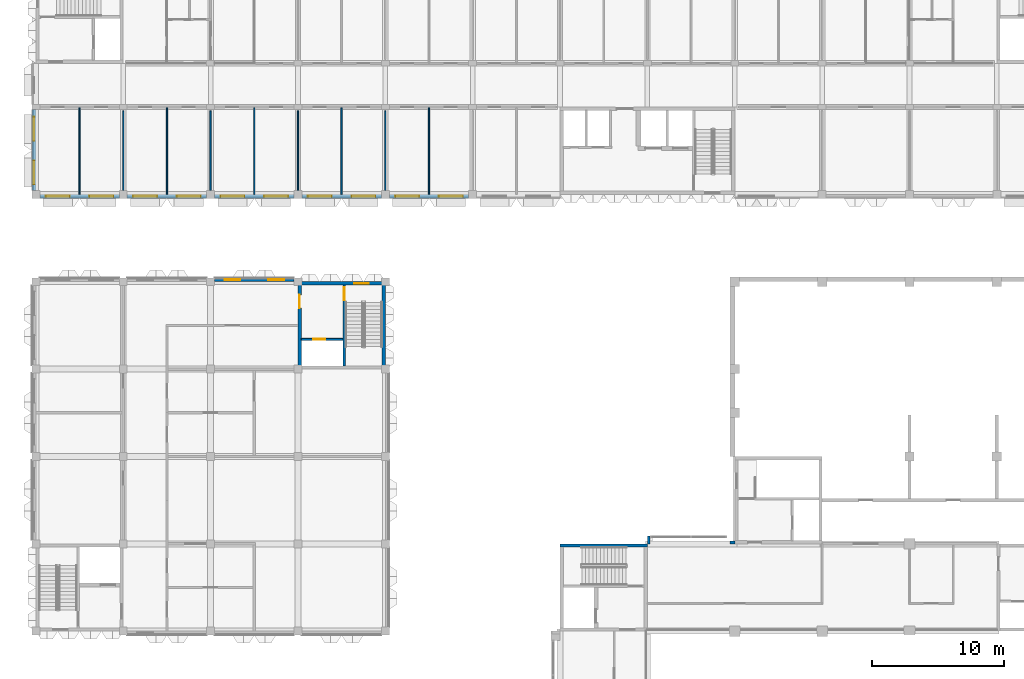
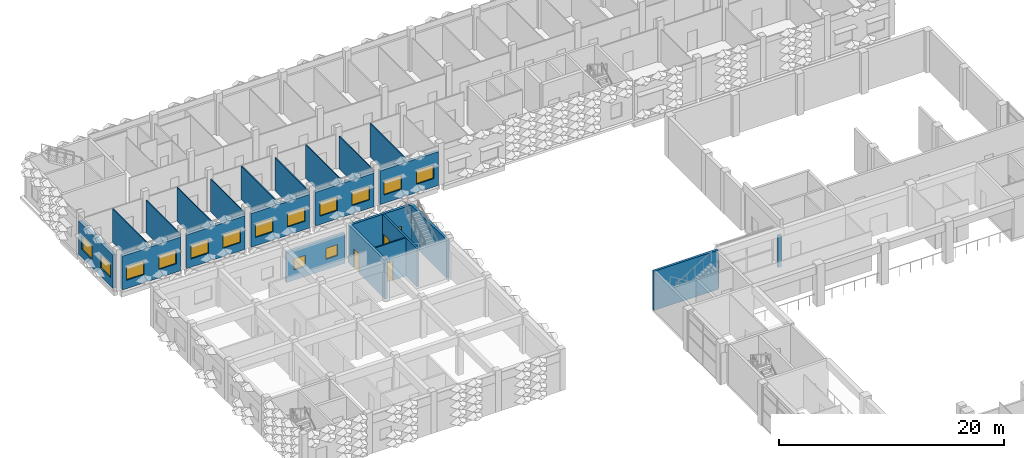
# One storey, part 34 of 87: 24 walls, 15 windows, 3 doors, 18 openings.
"""IFC4 building model written with IfcOpenShell, lengths in metres."""

from ifc_helpers import new_model, si_unit, direction, frame, frame_2d, origin, place, context, subcontext, project, spatial, rectangle, extrude, material, layer, layer_set, type_object, element, fill, save


model = new_model("IFC4")

# Units and contexts
model_context = context("Model", 3, precision=1e-05, world=origin(), true_north=direction((0.0, 1.0)))
body_context = subcontext(model_context, "Body", "Model", "MODEL_VIEW")
ifc_project = project(units=[si_unit("LENGTHUNIT", "METRE"), si_unit("AREAUNIT", "SQUARE_METRE"), si_unit("VOLUMEUNIT", "CUBIC_METRE"), si_unit("PLANEANGLEUNIT", "RADIAN"), si_unit("MASSUNIT", "GRAM", prefix="KILO")], contexts=[model_context])

# Site, building, storey
site_placement = place(None, origin())
site = spatial("IfcSite", under=ifc_project, at=site_placement, CompositionType="ELEMENT")
building_placement = place(site_placement, origin())
building = spatial("IfcBuilding", under=site, at=building_placement, Name="Lantern Court Research Institute", CompositionType="ELEMENT")
storey_placement = place(building_placement, frame((0.0, 0.0, 5.39990234375)))
storey = spatial("IfcBuildingStorey", under=building, at=storey_placement, Name="L01", CompositionType="ELEMENT", Elevation=5.39990234375)

# Wall, openings, windows
ifc_material_1 = material(Name="Concrete C30/37", Category="concrete")
ifc_layer_1 = layer(ifc_material_1, 0.300048828125)
ifc_layer_set_1 = layer_set([ifc_layer_1], Name="Concrete C30/37")
wall_type_1 = type_object("IfcWallType", Name="Insulated concrete infill wall 300", PredefinedType="STANDARD", material=ifc_layer_set_1)
wall_1_placement = place(storey_placement, frame((6.300048828125, 82.35009765625, 0.0), z_axis=(0.0, 0.0, 1.0), x_axis=(-1.0, 0.0, 0.0)))
wall_1 = element("IfcWall", 1, at=wall_1_placement, inside=storey, type_object=wall_type_1, Name="Exterior wall EW119", PredefinedType="STANDARD", context=body_context, shape_type="SweptSolid", body=[
    extrude(rectangle(XDim=6.0, YDim=0.300048828125, at=frame_2d((3.0, 0.0))), origin(), (0.0, 0.0, 1.0), 3.650146484375),
])
opening_1_placement = place(wall_1_placement, frame((3.75, 0.0, 0.89990234375)))
opening_1 = element("IfcOpeningElement", 2, at=opening_1_placement, cuts=wall_1, Name="Opening W14", PredefinedType="OPENING", context=body_context, shape_type="SweptSolid", body=[
    extrude(rectangle(XDim=1.800048828125, YDim=1.5, at=frame_2d((0.89990234375, 0.75))), frame((0.0, 0.159912109375, 0.0), z_axis=(0.0, -1.0, 0.0), x_axis=(1.0, 0.0, 0.0)), (0.0, 0.0, 1.0), 0.320068359375),
])
opening_2_placement = place(wall_1_placement, frame((0.449951171875, 0.0, 0.89990234375)))
opening_2 = element("IfcOpeningElement", 3, at=opening_2_placement, cuts=wall_1, Name="Opening W14", PredefinedType="OPENING", context=body_context, shape_type="SweptSolid", body=[
    extrude(rectangle(XDim=1.800048828125, YDim=1.5, at=frame_2d((0.89990234375, 0.75))), frame((0.0, 0.159912109375, 0.0), z_axis=(0.0, -1.0, 0.0), x_axis=(1.0, 0.0, 0.0)), (0.0, 0.0, 1.0), 0.320068359375),
])
ifc_material_2 = material(Name="Aluminium frame with laminated low-emissivity glazing", Category="aluminium")
window_type_1 = type_object("IfcWindowType", Name="Office window 1800 x 1500", PartitioningType="SINGLE_PANEL", PredefinedType="WINDOW", material=ifc_material_2)
window_1_placement = place(opening_1_placement, origin())
window_1 = element("IfcWindow", 4, at=window_1_placement, inside=storey, type_object=window_type_1, Name="Window W14 V6S L01", OverallHeight=1.5, OverallWidth=1.800048828125, PartitioningType="SINGLE_PANEL", PredefinedType="WINDOW", context=body_context, shape_type="SweptSolid", body=[
    extrude(rectangle(XDim=1.800048828125, YDim=1.5, at=frame_2d((0.89990234375, 0.75))), frame((0.0, 0.030029296875, 0.0), z_axis=(0.0, -1.0, 0.0), x_axis=(1.0, 0.0, 0.0)), (0.0, 0.0, 1.0), 0.06005859375),
])
fill(opening_1, window_1)
window_2_placement = place(opening_2_placement, origin())
window_2 = element("IfcWindow", 5, at=window_2_placement, inside=storey, type_object=window_type_1, Name="Window W14 V6S L01", OverallHeight=1.5, OverallWidth=1.800048828125, PartitioningType="SINGLE_PANEL", PredefinedType="WINDOW", context=body_context, shape_type="SweptSolid", body=[
    extrude(rectangle(XDim=1.800048828125, YDim=1.5, at=frame_2d((0.89990234375, 0.75))), frame((0.0, 0.030029296875, 0.0), z_axis=(0.0, -1.0, 0.0), x_axis=(1.0, 0.0, 0.0)), (0.0, 0.0, 1.0), 0.06005859375),
])
fill(opening_2, window_2)

wall_2_placement = place(storey_placement, frame((12.89990234375, 82.35009765625, 0.0), z_axis=(0.0, 0.0, 1.0), x_axis=(-1.0, 0.0, 0.0)))
wall_2 = element("IfcWall", 6, at=wall_2_placement, inside=storey, type_object=wall_type_1, Name="Exterior wall EW120", PredefinedType="STANDARD", context=body_context, shape_type="SweptSolid", body=[
    extrude(rectangle(XDim=6.0, YDim=0.300048828125, at=frame_2d((3.0, 0.0))), origin(), (0.0, 0.0, 1.0), 3.650146484375),
])
opening_3_placement = place(wall_2_placement, frame((3.75, 0.0, 0.89990234375)))
opening_3 = element("IfcOpeningElement", 7, at=opening_3_placement, cuts=wall_2, Name="Opening W14", PredefinedType="OPENING", context=body_context, shape_type="SweptSolid", body=[
    extrude(rectangle(XDim=1.800048828125, YDim=1.5, at=frame_2d((0.89990234375, 0.75))), frame((0.0, 0.159912109375, 0.0), z_axis=(0.0, -1.0, 0.0), x_axis=(1.0, 0.0, 0.0)), (0.0, 0.0, 1.0), 0.320068359375),
])
opening_4_placement = place(wall_2_placement, frame((0.449951171875, 0.0, 0.89990234375)))
opening_4 = element("IfcOpeningElement", 8, at=opening_4_placement, cuts=wall_2, Name="Opening W14", PredefinedType="OPENING", context=body_context, shape_type="SweptSolid", body=[
    extrude(rectangle(XDim=1.800048828125, YDim=1.5, at=frame_2d((0.89990234375, 0.75))), frame((0.0, 0.159912109375, 0.0), z_axis=(0.0, -1.0, 0.0), x_axis=(1.0, 0.0, 0.0)), (0.0, 0.0, 1.0), 0.320068359375),
])
window_3_placement = place(opening_3_placement, origin())
window_3 = element("IfcWindow", 9, at=window_3_placement, inside=storey, type_object=window_type_1, Name="Window W14 V6S L01", OverallHeight=1.5, OverallWidth=1.800048828125, PartitioningType="SINGLE_PANEL", PredefinedType="WINDOW", context=body_context, shape_type="SweptSolid", body=[
    extrude(rectangle(XDim=1.800048828125, YDim=1.5, at=frame_2d((0.89990234375, 0.75))), frame((0.0, 0.030029296875, 0.0), z_axis=(0.0, -1.0, 0.0), x_axis=(1.0, 0.0, 0.0)), (0.0, 0.0, 1.0), 0.06005859375),
])
fill(opening_3, window_3)
window_4_placement = place(opening_4_placement, origin())
window_4 = element("IfcWindow", 10, at=window_4_placement, inside=storey, type_object=window_type_1, Name="Window W14 V6S L01", OverallHeight=1.5, OverallWidth=1.800048828125, PartitioningType="SINGLE_PANEL", PredefinedType="WINDOW", context=body_context, shape_type="SweptSolid", body=[
    extrude(rectangle(XDim=1.800048828125, YDim=1.5, at=frame_2d((0.89990234375, 0.75))), frame((0.0, 0.030029296875, 0.0), z_axis=(0.0, -1.0, 0.0), x_axis=(1.0, 0.0, 0.0)), (0.0, 0.0, 1.0), 0.06005859375),
])
fill(opening_4, window_4)

wall_3_placement = place(storey_placement, frame((19.5, 82.35009765625, 0.0), z_axis=(0.0, 0.0, 1.0), x_axis=(-1.0, 0.0, 0.0)))
wall_3 = element("IfcWall", 11, at=wall_3_placement, inside=storey, type_object=wall_type_1, Name="Exterior wall EW121", PredefinedType="STANDARD", context=body_context, shape_type="SweptSolid", body=[
    extrude(rectangle(XDim=6.0, YDim=0.300048828125, at=frame_2d((3.0, 0.0))), origin(), (0.0, 0.0, 1.0), 3.650146484375),
])
opening_5_placement = place(wall_3_placement, frame((3.75, 0.0, 0.89990234375)))
opening_5 = element("IfcOpeningElement", 12, at=opening_5_placement, cuts=wall_3, Name="Opening W14", PredefinedType="OPENING", context=body_context, shape_type="SweptSolid", body=[
    extrude(rectangle(XDim=1.800048828125, YDim=1.5, at=frame_2d((0.89990234375, 0.75))), frame((0.0, 0.159912109375, 0.0), z_axis=(0.0, -1.0, 0.0), x_axis=(1.0, 0.0, 0.0)), (0.0, 0.0, 1.0), 0.320068359375),
])
opening_6_placement = place(wall_3_placement, frame((0.449951171875, 0.0, 0.89990234375)))
opening_6 = element("IfcOpeningElement", 13, at=opening_6_placement, cuts=wall_3, Name="Opening W14", PredefinedType="OPENING", context=body_context, shape_type="SweptSolid", body=[
    extrude(rectangle(XDim=1.800048828125, YDim=1.5, at=frame_2d((0.89990234375, 0.75))), frame((0.0, 0.159912109375, 0.0), z_axis=(0.0, -1.0, 0.0), x_axis=(1.0, 0.0, 0.0)), (0.0, 0.0, 1.0), 0.320068359375),
])
window_5_placement = place(opening_5_placement, origin())
window_5 = element("IfcWindow", 14, at=window_5_placement, inside=storey, type_object=window_type_1, Name="Window W14 V6S L01", OverallHeight=1.5, OverallWidth=1.800048828125, PartitioningType="SINGLE_PANEL", PredefinedType="WINDOW", context=body_context, shape_type="SweptSolid", body=[
    extrude(rectangle(XDim=1.800048828125, YDim=1.5, at=frame_2d((0.89990234375, 0.75))), frame((0.0, 0.030029296875, 0.0), z_axis=(0.0, -1.0, 0.0), x_axis=(1.0, 0.0, 0.0)), (0.0, 0.0, 1.0), 0.06005859375),
])
fill(opening_5, window_5)
window_6_placement = place(opening_6_placement, origin())
window_6 = element("IfcWindow", 15, at=window_6_placement, inside=storey, type_object=window_type_1, Name="Window W14 V6S L01", OverallHeight=1.5, OverallWidth=1.800048828125, PartitioningType="SINGLE_PANEL", PredefinedType="WINDOW", context=body_context, shape_type="SweptSolid", body=[
    extrude(rectangle(XDim=1.800048828125, YDim=1.5, at=frame_2d((0.89990234375, 0.75))), frame((0.0, 0.030029296875, 0.0), z_axis=(0.0, -1.0, 0.0), x_axis=(1.0, 0.0, 0.0)), (0.0, 0.0, 1.0), 0.06005859375),
])
fill(opening_6, window_6)

wall_4_placement = place(storey_placement, frame((26.10009765625, 82.35009765625, 0.0), z_axis=(0.0, 0.0, 1.0), x_axis=(-1.0, 0.0, 0.0)))
wall_4 = element("IfcWall", 16, at=wall_4_placement, inside=storey, type_object=wall_type_1, Name="Exterior wall EW122", PredefinedType="STANDARD", context=body_context, shape_type="SweptSolid", body=[
    extrude(rectangle(XDim=6.0, YDim=0.300048828125, at=frame_2d((3.0, 0.0))), origin(), (0.0, 0.0, 1.0), 3.650146484375),
])
opening_7_placement = place(wall_4_placement, frame((3.75, 0.0, 0.89990234375)))
opening_7 = element("IfcOpeningElement", 17, at=opening_7_placement, cuts=wall_4, Name="Opening W14", PredefinedType="OPENING", context=body_context, shape_type="SweptSolid", body=[
    extrude(rectangle(XDim=1.800048828125, YDim=1.5, at=frame_2d((0.89990234375, 0.75))), frame((0.0, 0.159912109375, 0.0), z_axis=(0.0, -1.0, 0.0), x_axis=(1.0, 0.0, 0.0)), (0.0, 0.0, 1.0), 0.320068359375),
])
opening_8_placement = place(wall_4_placement, frame((0.449951171875, 0.0, 0.89990234375)))
opening_8 = element("IfcOpeningElement", 18, at=opening_8_placement, cuts=wall_4, Name="Opening W14", PredefinedType="OPENING", context=body_context, shape_type="SweptSolid", body=[
    extrude(rectangle(XDim=1.800048828125, YDim=1.5, at=frame_2d((0.89990234375, 0.75))), frame((0.0, 0.159912109375, 0.0), z_axis=(0.0, -1.0, 0.0), x_axis=(1.0, 0.0, 0.0)), (0.0, 0.0, 1.0), 0.320068359375),
])
window_7_placement = place(opening_7_placement, origin())
window_7 = element("IfcWindow", 19, at=window_7_placement, inside=storey, type_object=window_type_1, Name="Window W14 V6S L01", OverallHeight=1.5, OverallWidth=1.800048828125, PartitioningType="SINGLE_PANEL", PredefinedType="WINDOW", context=body_context, shape_type="SweptSolid", body=[
    extrude(rectangle(XDim=1.800048828125, YDim=1.5, at=frame_2d((0.89990234375, 0.75))), frame((0.0, 0.030029296875, 0.0), z_axis=(0.0, -1.0, 0.0), x_axis=(1.0, 0.0, 0.0)), (0.0, 0.0, 1.0), 0.06005859375),
])
fill(opening_7, window_7)
window_8_placement = place(opening_8_placement, origin())
window_8 = element("IfcWindow", 20, at=window_8_placement, inside=storey, type_object=window_type_1, Name="Window W14 V6S L01", OverallHeight=1.5, OverallWidth=1.800048828125, PartitioningType="SINGLE_PANEL", PredefinedType="WINDOW", context=body_context, shape_type="SweptSolid", body=[
    extrude(rectangle(XDim=1.800048828125, YDim=1.5, at=frame_2d((0.89990234375, 0.75))), frame((0.0, 0.030029296875, 0.0), z_axis=(0.0, -1.0, 0.0), x_axis=(1.0, 0.0, 0.0)), (0.0, 0.0, 1.0), 0.06005859375),
])
fill(opening_8, window_8)

wall_5_placement = place(storey_placement, frame((32.699951171875, 82.35009765625, 0.0), z_axis=(0.0, 0.0, 1.0), x_axis=(-1.0, 0.0, 0.0)))
wall_5 = element("IfcWall", 21, at=wall_5_placement, inside=storey, type_object=wall_type_1, Name="Exterior wall EW123", PredefinedType="STANDARD", context=body_context, shape_type="SweptSolid", body=[
    extrude(rectangle(XDim=6.0, YDim=0.300048828125, at=frame_2d((3.0, 0.0))), origin(), (0.0, 0.0, 1.0), 3.650146484375),
])
opening_9_placement = place(wall_5_placement, frame((3.75, 0.0, 0.89990234375)))
opening_9 = element("IfcOpeningElement", 22, at=opening_9_placement, cuts=wall_5, Name="Opening W14", PredefinedType="OPENING", context=body_context, shape_type="SweptSolid", body=[
    extrude(rectangle(XDim=1.800048828125, YDim=1.5, at=frame_2d((0.89990234375, 0.75))), frame((0.0, 0.159912109375, 0.0), z_axis=(0.0, -1.0, 0.0), x_axis=(1.0, 0.0, 0.0)), (0.0, 0.0, 1.0), 0.320068359375),
])
opening_10_placement = place(wall_5_placement, frame((0.449951171875, 0.0, 0.89990234375)))
opening_10 = element("IfcOpeningElement", 23, at=opening_10_placement, cuts=wall_5, Name="Opening W14", PredefinedType="OPENING", context=body_context, shape_type="SweptSolid", body=[
    extrude(rectangle(XDim=1.800048828125, YDim=1.5, at=frame_2d((0.89990234375, 0.75))), frame((0.0, 0.159912109375, 0.0), z_axis=(0.0, -1.0, 0.0), x_axis=(1.0, 0.0, 0.0)), (0.0, 0.0, 1.0), 0.320068359375),
])
window_9_placement = place(opening_9_placement, origin())
window_9 = element("IfcWindow", 24, at=window_9_placement, inside=storey, type_object=window_type_1, Name="Window W14 V6S L01", OverallHeight=1.5, OverallWidth=1.800048828125, PartitioningType="SINGLE_PANEL", PredefinedType="WINDOW", context=body_context, shape_type="SweptSolid", body=[
    extrude(rectangle(XDim=1.800048828125, YDim=1.5, at=frame_2d((0.89990234375, 0.75))), frame((0.0, 0.030029296875, 0.0), z_axis=(0.0, -1.0, 0.0), x_axis=(1.0, 0.0, 0.0)), (0.0, 0.0, 1.0), 0.06005859375),
])
fill(opening_9, window_9)
window_10_placement = place(opening_10_placement, origin())
window_10 = element("IfcWindow", 25, at=window_10_placement, inside=storey, type_object=window_type_1, Name="Window W14 V6S L01", OverallHeight=1.5, OverallWidth=1.800048828125, PartitioningType="SINGLE_PANEL", PredefinedType="WINDOW", context=body_context, shape_type="SweptSolid", body=[
    extrude(rectangle(XDim=1.800048828125, YDim=1.5, at=frame_2d((0.89990234375, 0.75))), frame((0.0, 0.030029296875, 0.0), z_axis=(0.0, -1.0, 0.0), x_axis=(1.0, 0.0, 0.0)), (0.0, 0.0, 1.0), 0.06005859375),
])
fill(opening_10, window_10)

wall_6_placement = place(storey_placement, frame((-0.14990234375, 82.800048828125, 0.0), z_axis=(0.0, 0.0, 1.0), x_axis=(0.0, 1.0, 0.0)))
wall_6 = element("IfcWall", 26, at=wall_6_placement, inside=storey, type_object=wall_type_1, Name="Exterior wall EW129", PredefinedType="STANDARD", context=body_context, shape_type="SweptSolid", body=[
    extrude(rectangle(XDim=6.099853515625, YDim=0.300048828125, at=frame_2d((3.0498046875, 0.0))), origin(), (0.0, 0.0, 1.0), 3.650146484375),
])
opening_11_placement = place(wall_6_placement, frame((0.449951171875, 0.0, 0.89990234375)))
opening_11 = element("IfcOpeningElement", 27, at=opening_11_placement, cuts=wall_6, Name="Opening W14", PredefinedType="OPENING", context=body_context, shape_type="SweptSolid", body=[
    extrude(rectangle(XDim=1.800048828125, YDim=1.5, at=frame_2d((0.89990234375, 0.75))), frame((0.0, 0.159912109375, 0.0), z_axis=(0.0, -1.0, 0.0), x_axis=(1.0, 0.0, 0.0)), (0.0, 0.0, 1.0), 0.320068359375),
])
opening_12_placement = place(wall_6_placement, frame((3.75, 0.0, 0.89990234375)))
opening_12 = element("IfcOpeningElement", 28, at=opening_12_placement, cuts=wall_6, Name="Opening W14", PredefinedType="OPENING", context=body_context, shape_type="SweptSolid", body=[
    extrude(rectangle(XDim=1.800048828125, YDim=1.5, at=frame_2d((0.89990234375, 0.75))), frame((0.0, 0.159912109375, 0.0), z_axis=(0.0, -1.0, 0.0), x_axis=(1.0, 0.0, 0.0)), (0.0, 0.0, 1.0), 0.320068359375),
])
window_11_placement = place(opening_11_placement, origin())
window_11 = element("IfcWindow", 29, at=window_11_placement, inside=storey, type_object=window_type_1, Name="Window W14 V6W L01", OverallHeight=1.5, OverallWidth=1.800048828125, PartitioningType="SINGLE_PANEL", PredefinedType="WINDOW", context=body_context, shape_type="SweptSolid", body=[
    extrude(rectangle(XDim=1.800048828125, YDim=1.5, at=frame_2d((0.89990234375, 0.75))), frame((0.0, 0.030029296875, 0.0), z_axis=(0.0, -1.0, 0.0), x_axis=(1.0, 0.0, 0.0)), (0.0, 0.0, 1.0), 0.06005859375),
])
fill(opening_11, window_11)
window_12_placement = place(opening_12_placement, origin())
window_12 = element("IfcWindow", 30, at=window_12_placement, inside=storey, type_object=window_type_1, Name="Window W14 V6W L01", OverallHeight=1.5, OverallWidth=1.800048828125, PartitioningType="SINGLE_PANEL", PredefinedType="WINDOW", context=body_context, shape_type="SweptSolid", body=[
    extrude(rectangle(XDim=1.800048828125, YDim=1.5, at=frame_2d((0.89990234375, 0.75))), frame((0.0, 0.030029296875, 0.0), z_axis=(0.0, -1.0, 0.0), x_axis=(1.0, 0.0, 0.0)), (0.0, 0.0, 1.0), 0.06005859375),
])
fill(opening_12, window_12)

ifc_material_3 = material(Name="Aluminium composite panel with mineral wool insulation", Category="aluminium")
ifc_layer_2 = layer(ifc_material_3, 0.300048828125)
ifc_layer_set_2 = layer_set([ifc_layer_2], Name="Aluminium composite panel with mineral wool insulation")
wall_type_2 = type_object("IfcWallType", Name="Insulated panel wall 300 aluminium faced", PredefinedType="STANDARD", material=ifc_layer_set_2)
wall_7_placement = place(storey_placement, frame((13.5, 76.050048828125, 0.0), z_axis=(0.0, 0.0, 1.0), x_axis=(1.0, 0.0, 0.0)))
wall_7 = element("IfcWall", 31, at=wall_7_placement, inside=storey, type_object=wall_type_2, Name="Exterior wall EW088", PredefinedType="STANDARD", context=body_context, shape_type="SweptSolid", body=[
    extrude(rectangle(XDim=6.0, YDim=0.300048828125, at=frame_2d((3.0, 0.0))), origin(), (0.0, 0.0, 1.0), 3.25),
])
opening_13_placement = place(wall_7_placement, frame((0.75, 0.0, 1.10009765625)))
opening_13 = element("IfcOpeningElement", 32, at=opening_13_placement, cuts=wall_7, Name="Opening W05", PredefinedType="OPENING", context=body_context, shape_type="SweptSolid", body=[
    extrude(rectangle(XDim=1.199951171875, YDim=1.199951171875, at=frame_2d((0.60009765625, 0.60009765625))), frame((0.0, 0.159912109375, 0.0), z_axis=(0.0, -1.0, 0.0), x_axis=(1.0, 0.0, 0.0)), (0.0, 0.0, 1.0), 0.320068359375),
])
opening_14_placement = place(wall_7_placement, frame((4.050048828125, 0.0, 1.10009765625)))
opening_14 = element("IfcOpeningElement", 33, at=opening_14_placement, cuts=wall_7, Name="Opening W05", PredefinedType="OPENING", context=body_context, shape_type="SweptSolid", body=[
    extrude(rectangle(XDim=1.199951171875, YDim=1.199951171875, at=frame_2d((0.60009765625, 0.60009765625))), frame((0.0, 0.159912109375, 0.0), z_axis=(0.0, -1.0, 0.0), x_axis=(1.0, 0.0, 0.0)), (0.0, 0.0, 1.0), 0.320068359375),
])
ifc_material_4 = material(Name="Aluminium frame with laminated low-emissivity glazing", Category="aluminium")
window_type_2 = type_object("IfcWindowType", Name="Corridor end window 1200 x 1200", PartitioningType="SINGLE_PANEL", PredefinedType="WINDOW", material=ifc_material_4)
window_13_placement = place(opening_13_placement, origin())
window_13 = element("IfcWindow", 34, at=window_13_placement, inside=storey, type_object=window_type_2, Name="Window W05 V3N L01", OverallHeight=1.199951171875, OverallWidth=1.199951171875, PartitioningType="SINGLE_PANEL", PredefinedType="WINDOW", context=body_context, shape_type="SweptSolid", body=[
    extrude(rectangle(XDim=1.199951171875, YDim=1.199951171875, at=frame_2d((0.60009765625, 0.60009765625))), frame((0.0, 0.030029296875, 0.0), z_axis=(0.0, -1.0, 0.0), x_axis=(1.0, 0.0, 0.0)), (0.0, 0.0, 1.0), 0.06005859375),
])
fill(opening_13, window_13)
window_14_placement = place(opening_14_placement, origin())
window_14 = element("IfcWindow", 35, at=window_14_placement, inside=storey, type_object=window_type_2, Name="Window W05 V3N L01", OverallHeight=1.199951171875, OverallWidth=1.199951171875, PartitioningType="SINGLE_PANEL", PredefinedType="WINDOW", context=body_context, shape_type="SweptSolid", body=[
    extrude(rectangle(XDim=1.199951171875, YDim=1.199951171875, at=frame_2d((0.60009765625, 0.60009765625))), frame((0.0, 0.030029296875, 0.0), z_axis=(0.0, -1.0, 0.0), x_axis=(1.0, 0.0, 0.0)), (0.0, 0.0, 1.0), 0.06005859375),
])
fill(opening_14, window_14)

# Walls
ifc_material_5 = material(Name="Gypsum board on metal studs")
ifc_layer_3 = layer(ifc_material_5, 0.10009765625)
ifc_layer_set_3 = layer_set([ifc_layer_3], Name="Gypsum board on metal studs")
wall_type_3 = type_object("IfcWallType", Name="Partition 100 mm", PredefinedType="PARTITIONING", material=ifc_layer_set_3)
wall_8_placement = place(storey_placement, frame((3.300048828125, 82.5, 0.0), z_axis=(0.0, 0.0, 1.0), x_axis=(0.0, 1.0, 0.0)))
element("IfcWall", 36, at=wall_8_placement, inside=storey, type_object=wall_type_3, Name="Wall V6-L01-031", PredefinedType="PARTITIONING", context=body_context, shape_type="SweptSolid", body=[
    extrude(rectangle(XDim=6.537109375, YDim=0.10009765625, at=frame_2d((3.2685546875, 0.0))), origin(), (0.0, 0.0, 1.0), 3.650146484375),
])
wall_9_placement = place(storey_placement, frame((6.60009765625, 82.800048828125, 0.0), z_axis=(0.0, 0.0, 1.0), x_axis=(0.0, 1.0, 0.0)))
element("IfcWall", 37, at=wall_9_placement, inside=storey, type_object=wall_type_3, Name="Wall V6-L01-032", PredefinedType="PARTITIONING", context=body_context, shape_type="SweptSolid", body=[
    extrude(rectangle(XDim=6.0, YDim=0.10009765625, at=frame_2d((3.0, 0.0))), origin(), (0.0, 0.0, 1.0), 3.550048828125),
])
wall_10_placement = place(storey_placement, frame((9.89990234375, 82.5, 0.0), z_axis=(0.0, 0.0, 1.0), x_axis=(0.0, 1.0, 0.0)))
element("IfcWall", 38, at=wall_10_placement, inside=storey, type_object=wall_type_3, Name="Wall V6-L01-033", PredefinedType="PARTITIONING", context=body_context, shape_type="SweptSolid", body=[
    extrude(rectangle(XDim=6.537109375, YDim=0.10009765625, at=frame_2d((3.2685546875, 0.0))), origin(), (0.0, 0.0, 1.0), 3.650146484375),
])
wall_11_placement = place(storey_placement, frame((13.199951171875, 82.800048828125, 0.0), z_axis=(0.0, 0.0, 1.0), x_axis=(0.0, 1.0, 0.0)))
element("IfcWall", 39, at=wall_11_placement, inside=storey, type_object=wall_type_3, Name="Wall V6-L01-037", PredefinedType="PARTITIONING", context=body_context, shape_type="SweptSolid", body=[
    extrude(rectangle(XDim=6.0, YDim=0.10009765625, at=frame_2d((3.0, 0.0))), origin(), (0.0, 0.0, 1.0), 3.550048828125),
])
wall_12_placement = place(storey_placement, frame((16.5, 82.5, 0.0), z_axis=(0.0, 0.0, 1.0), x_axis=(0.0, 1.0, 0.0)))
element("IfcWall", 40, at=wall_12_placement, inside=storey, type_object=wall_type_3, Name="Wall V6-L01-040", PredefinedType="PARTITIONING", context=body_context, shape_type="SweptSolid", body=[
    extrude(rectangle(XDim=6.537109375, YDim=0.10009765625, at=frame_2d((3.2685546875, 0.0))), origin(), (0.0, 0.0, 1.0), 3.650146484375),
])
wall_13_placement = place(storey_placement, frame((19.800048828125, 82.800048828125, 0.0), z_axis=(0.0, 0.0, 1.0), x_axis=(0.0, 1.0, 0.0)))
element("IfcWall", 41, at=wall_13_placement, inside=storey, type_object=wall_type_3, Name="Wall V6-L01-043", PredefinedType="PARTITIONING", context=body_context, shape_type="SweptSolid", body=[
    extrude(rectangle(XDim=6.0, YDim=0.10009765625, at=frame_2d((3.0, 0.0))), origin(), (0.0, 0.0, 1.0), 3.550048828125),
])
wall_14_placement = place(storey_placement, frame((23.10009765625, 82.5, 0.0), z_axis=(0.0, 0.0, 1.0), x_axis=(0.0, 1.0, 0.0)))
element("IfcWall", 42, at=wall_14_placement, inside=storey, type_object=wall_type_3, Name="Wall V6-L01-045", PredefinedType="PARTITIONING", context=body_context, shape_type="SweptSolid", body=[
    extrude(rectangle(XDim=6.537109375, YDim=0.10009765625, at=frame_2d((3.2685546875, 0.0))), origin(), (0.0, 0.0, 1.0), 3.650146484375),
])
wall_15_placement = place(storey_placement, frame((26.39990234375, 82.800048828125, 0.0), z_axis=(0.0, 0.0, 1.0), x_axis=(0.0, 1.0, 0.0)))
element("IfcWall", 43, at=wall_15_placement, inside=storey, type_object=wall_type_3, Name="Wall V6-L01-047", PredefinedType="PARTITIONING", context=body_context, shape_type="SweptSolid", body=[
    extrude(rectangle(XDim=6.0, YDim=0.10009765625, at=frame_2d((3.0, 0.0))), origin(), (0.0, 0.0, 1.0), 3.550048828125),
])
wall_16_placement = place(storey_placement, frame((29.699951171875, 82.5, 0.0), z_axis=(0.0, 0.0, 1.0), x_axis=(0.0, 1.0, 0.0)))
element("IfcWall", 44, at=wall_16_placement, inside=storey, type_object=wall_type_3, Name="Wall V6-L01-049", PredefinedType="PARTITIONING", context=body_context, shape_type="SweptSolid", body=[
    extrude(rectangle(XDim=6.537109375, YDim=0.10009765625, at=frame_2d((3.2685546875, 0.0))), origin(), (0.0, 0.0, 1.0), 3.650146484375),
])

# Wall, opening, door
ifc_material_6 = material(Name="Concrete C40/50", Category="concrete")
ifc_layer_4 = layer(ifc_material_6, 0.25)
ifc_layer_set_4 = layer_set([ifc_layer_4], Name="Concrete C40/50")
wall_type_4 = type_object("IfcWallType", Name="RC core wall 250", PredefinedType="SHEAR", material=ifc_layer_set_4)
wall_17_placement = place(storey_placement, frame((19.925048828125, 75.89990234375, 0.0), z_axis=(0.0, 0.0, 1.0), x_axis=(0.0, -1.0, 0.0)))
wall_17 = element("IfcWall", 45, at=wall_17_placement, inside=storey, type_object=wall_type_4, Name="West wall of core CC-B", PredefinedType="SHEAR", context=body_context, shape_type="SweptSolid", body=[
    extrude(rectangle(XDim=6.599853515625, YDim=0.25, at=frame_2d((3.2998046875, 0.0))), origin(), (0.0, 0.0, 1.0), 4.150146484375),
])
opening_15_placement = place(wall_17_placement, frame((1.0, 0.0, 0.0)))
opening_15 = element("IfcOpeningElement", 46, at=opening_15_placement, cuts=wall_17, Name="Opening D7294", PredefinedType="OPENING", context=body_context, shape_type="SweptSolid", body=[
    extrude(rectangle(XDim=1.0, YDim=2.10009765625, at=frame_2d((0.5, 1.050048828125))), frame((0.0, 0.135009765625, 0.0), z_axis=(0.0, -1.0, 0.0), x_axis=(1.0, 0.0, 0.0)), (0.0, 0.0, 1.0), 0.27001953125),
])
ifc_material_7 = material(Name="Steel fire door leaf with smoke seals", Category="steel")
door_type_1 = type_object("IfcDoorType", Name="Door 1000 x 2100 fire rated FD60S", OperationType="NOTDEFINED", PredefinedType="DOOR", material=ifc_material_7)
door_1_placement = place(opening_15_placement, origin())
door_1 = element("IfcDoor", 47, at=door_1_placement, inside=storey, type_object=door_type_1, Name="Lobby door", OperationType="SINGLE_SWING_RIGHT", OverallHeight=2.10009765625, OverallWidth=1.0, PredefinedType="DOOR", context=body_context, shape_type="SweptSolid", body=[
    extrude(rectangle(XDim=1.0, YDim=2.10009765625, at=frame_2d((0.5, 1.050048828125))), frame((0.0, 0.02490234375, 0.0), z_axis=(0.0, -1.0, 0.0), x_axis=(1.0, 0.0, 0.0)), (0.0, 0.0, 1.0), 0.050048828125),
])
fill(opening_15, door_1)

# Wall
ifc_material_8 = material(Name="Concrete C40/50", Category="concrete")
ifc_layer_5 = layer(ifc_material_8, 0.25)
ifc_layer_set_5 = layer_set([ifc_layer_5], Name="Concrete C40/50")
wall_type_5 = type_object("IfcWallType", Name="RC core wall 250 facade", PredefinedType="SHEAR", material=ifc_layer_set_5)
wall_18_placement = place(storey_placement, frame((26.27490234375, 75.89990234375, 0.0), z_axis=(0.0, 0.0, 1.0), x_axis=(0.0, -1.0, 0.0)))
element("IfcWall", 48, at=wall_18_placement, inside=storey, type_object=wall_type_5, Name="East wall of core CC-B", PredefinedType="SHEAR", context=body_context, shape_type="SweptSolid", body=[
    extrude(rectangle(XDim=6.599853515625, YDim=0.25, at=frame_2d((3.2998046875, 0.0))), origin(), (0.0, 0.0, 1.0), 4.150146484375),
])

# Wall, opening, window
wall_19_placement = place(storey_placement, frame((20.050048828125, 75.77490234375, 0.0), z_axis=(0.0, 0.0, 1.0), x_axis=(1.0, 0.0, 0.0)))
wall_19 = element("IfcWall", 49, at=wall_19_placement, inside=storey, type_object=wall_type_5, Name="North wall of core CC-B", PredefinedType="SHEAR", context=body_context, shape_type="SweptSolid", body=[
    extrude(rectangle(XDim=6.099853515625, YDim=0.25, at=frame_2d((3.0498046875, 0.0))), origin(), (0.0, 0.0, 1.0), 4.150146484375),
])
opening_16_placement = place(wall_19_placement, frame((4.0, 0.0, 0.699951171875)))
opening_16 = element("IfcOpeningElement", 50, at=opening_16_placement, cuts=wall_19, Name="Opening W5", PredefinedType="OPENING", context=body_context, shape_type="SweptSolid", body=[
    extrude(rectangle(XDim=1.10009765625, YDim=1.5, at=frame_2d((0.550048828125, 0.75))), frame((0.0, 0.135009765625, 0.0), z_axis=(0.0, -1.0, 0.0), x_axis=(1.0, 0.0, 0.0)), (0.0, 0.0, 1.0), 0.27001953125),
])
ifc_material_9 = material(Name="Aluminium alloy 6063-T6 frame with laminated glass", Category="aluminium")
window_type_3 = type_object("IfcWindowType", Name="Stair window 1100 x 1500", PartitioningType="SINGLE_PANEL", PredefinedType="WINDOW", material=ifc_material_9)
window_15_placement = place(opening_16_placement, origin())
window_15 = element("IfcWindow", 51, at=window_15_placement, inside=storey, type_object=window_type_3, Name="Stair window", OverallHeight=1.5, OverallWidth=1.10009765625, PartitioningType="SINGLE_PANEL", PredefinedType="WINDOW", context=body_context, shape_type="SweptSolid", body=[
    extrude(rectangle(XDim=1.10009765625, YDim=1.5, at=frame_2d((0.550048828125, 0.75))), frame((0.0, 0.030029296875, 0.0), z_axis=(0.0, -1.0, 0.0), x_axis=(1.0, 0.0, 0.0)), (0.0, 0.0, 1.0), 0.06005859375),
])
fill(opening_16, window_15)

# Wall
wall_20_placement = place(storey_placement, frame((39.60009765625, 55.97509765625, 0.0), z_axis=(0.0, 0.0, 1.0), x_axis=(1.0, 0.0, 0.0)))
element("IfcWall", 52, at=wall_20_placement, inside=storey, type_object=wall_type_5, Name="North wall of core HC-A", PredefinedType="SHEAR", context=body_context, shape_type="SweptSolid", body=[
    extrude(rectangle(XDim=6.599853515625, YDim=0.25, at=frame_2d((3.2998046875, 0.0))), origin(), (0.0, 0.0, 1.0), 4.25),
])

# Wall, opening, door
ifc_material_10 = material(Name="Concrete C40/50", Category="concrete")
ifc_layer_6 = layer(ifc_material_10, 0.14990234375)
ifc_layer_set_6 = layer_set([ifc_layer_6], Name="Concrete C40/50")
wall_type_6 = type_object("IfcWallType", Name="RC shaft wall 150", PredefinedType="SHEAR", material=ifc_layer_set_6)
wall_21_placement = place(storey_placement, frame((20.050048828125, 71.550048828125, 0.0), z_axis=(0.0, 0.0, 1.0), x_axis=(1.0, 0.0, 0.0)))
wall_21 = element("IfcWall", 53, at=wall_21_placement, inside=storey, type_object=wall_type_6, Name="Riser wall of core CC-B", PredefinedType="SHEAR", context=body_context, shape_type="SweptSolid", body=[
    extrude(rectangle(XDim=3.14990234375, YDim=0.14990234375, at=frame_2d((1.574951171875, 0.0))), origin(), (0.0, 0.0, 1.0), 4.150146484375),
])
opening_17_placement = place(wall_21_placement, frame((0.89990234375, 0.0, 0.0)))
opening_17 = element("IfcOpeningElement", 54, at=opening_17_placement, cuts=wall_21, Name="Opening D7293", PredefinedType="OPENING", context=body_context, shape_type="SweptSolid", body=[
    extrude(rectangle(XDim=0.89990234375, YDim=2.10009765625, at=frame_2d((0.449951171875, 1.050048828125))), frame((0.0, 0.0849609375, 0.0), z_axis=(0.0, -1.0, 0.0), x_axis=(1.0, 0.0, 0.0)), (0.0, 0.0, 1.0), 0.169921875),
])
ifc_material_11 = material(Name="Steel fire door leaf", Category="steel")
door_type_2 = type_object("IfcDoorType", Name="Door 900 x 2100 fire rated FD60", OperationType="NOTDEFINED", PredefinedType="DOOR", material=ifc_material_11)
door_2_placement = place(opening_17_placement, origin())
door_2 = element("IfcDoor", 55, at=door_2_placement, inside=storey, type_object=door_type_2, Name="Riser door", OperationType="SINGLE_SWING_RIGHT", OverallHeight=2.10009765625, OverallWidth=0.89990234375, PredefinedType="DOOR", context=body_context, shape_type="SweptSolid", body=[
    extrude(rectangle(XDim=0.89990234375, YDim=2.10009765625, at=frame_2d((0.449951171875, 1.050048828125))), frame((0.0, 0.02490234375, 0.0), z_axis=(0.0, -1.0, 0.0), x_axis=(1.0, 0.0, 0.0)), (0.0, 0.0, 1.0), 0.050048828125),
])
fill(opening_17, door_2)

ifc_material_12 = material(Name="Concrete C40/50", Category="concrete")
ifc_layer_7 = layer(ifc_material_12, 0.199951171875)
ifc_layer_set_7 = layer_set([ifc_layer_7], Name="Concrete C40/50")
wall_type_7 = type_object("IfcWallType", Name="RC shaft wall 200", PredefinedType="SHEAR", material=ifc_layer_set_7)
wall_22_placement = place(storey_placement, frame((23.300048828125, 75.64990234375, 0.0), z_axis=(0.0, 0.0, 1.0), x_axis=(0.0, -1.0, 0.0)))
wall_22 = element("IfcWall", 56, at=wall_22_placement, inside=storey, type_object=wall_type_7, Name="Stair wall of core CC-B", PredefinedType="SHEAR", context=body_context, shape_type="SweptSolid", body=[
    extrude(rectangle(XDim=6.099853515625, YDim=0.199951171875, at=frame_2d((3.0498046875, 0.0))), origin(), (0.0, 0.0, 1.0), 4.150146484375),
])
opening_18_placement = place(wall_22_placement, frame((0.14990234375, 0.0, 0.0)))
opening_18 = element("IfcOpeningElement", 57, at=opening_18_placement, cuts=wall_22, Name="Opening D7295", PredefinedType="OPENING", context=body_context, shape_type="SweptSolid", body=[
    extrude(rectangle(XDim=1.0, YDim=2.10009765625, at=frame_2d((0.5, 1.050048828125))), frame((0.0, 0.10986328125, 0.0), z_axis=(0.0, -1.0, 0.0), x_axis=(1.0, 0.0, 0.0)), (0.0, 0.0, 1.0), 0.219970703125),
])
door_3_placement = place(opening_18_placement, origin())
door_3 = element("IfcDoor", 58, at=door_3_placement, inside=storey, type_object=door_type_1, Name="Stair door", OperationType="SINGLE_SWING_RIGHT", OverallHeight=2.10009765625, OverallWidth=1.0, PredefinedType="DOOR", context=body_context, shape_type="SweptSolid", body=[
    extrude(rectangle(XDim=1.0, YDim=2.10009765625, at=frame_2d((0.5, 1.050048828125))), frame((0.0, 0.02490234375, 0.0), z_axis=(0.0, -1.0, 0.0), x_axis=(1.0, 0.0, 0.0)), (0.0, 0.0, 1.0), 0.050048828125),
])
fill(opening_18, door_3)

# Walls
ifc_material_13 = material(Name="Concrete C40/50", Category="concrete")
ifc_layer_8 = layer(ifc_material_13, 0.199951171875)
ifc_layer_set_8 = layer_set([ifc_layer_8], Name="Concrete C40/50")
wall_type_8 = type_object("IfcWallType", Name="Return wall 200 concrete EI 120 aluminium faced", PredefinedType="STANDARD", material=ifc_layer_set_8)
wall_23_placement = place(storey_placement, frame((46.300048828125, 56.10009765625, 0.0), z_axis=(0.0, 0.0, 1.0), x_axis=(0.0, 1.0, 0.0)))
element("IfcWall", 59, at=wall_23_placement, inside=storey, type_object=wall_type_8, Name="Core return wall 10", PredefinedType="STANDARD", context=body_context, shape_type="SweptSolid", body=[
    extrude(rectangle(XDim=0.599853515625, YDim=0.199951171875, at=frame_2d((0.2998046875, 0.0))), origin(), (0.0, 0.0, 1.0), 3.4501953125),
])
ifc_material_14 = material(Name="Glued laminated timber GL28h", Category="wood")
ifc_layer_9 = layer(ifc_material_14, 0.35009765625)
ifc_layer_set_9 = layer_set([ifc_layer_9], Name="Glued laminated timber GL28h")
wall_type_9 = type_object("IfcWallType", Name="Timber-clad drum wall 350", PredefinedType="STANDARD", material=ifc_layer_set_9)
wall_24_placement = place(storey_placement, frame((52.625, 56.10009765625, 0.0), z_axis=(0.0, 0.0, 1.0), x_axis=(0.0, 1.0, 0.0)))
element("IfcWall", 60, at=wall_24_placement, inside=storey, type_object=wall_type_9, Name="Exterior wall EW079", PredefinedType="STANDARD", context=body_context, shape_type="SweptSolid", body=[
    extrude(rectangle(XDim=0.224853515625, YDim=0.35009765625, at=frame_2d((0.1123046875, 0.0))), origin(), (0.0, 0.0, 1.0), 3.4501953125),
])

save(model, "model.ifc")
